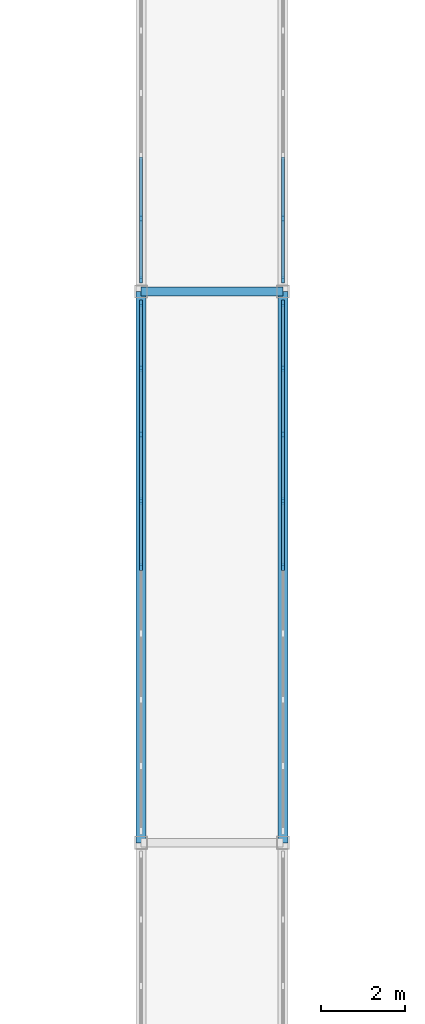
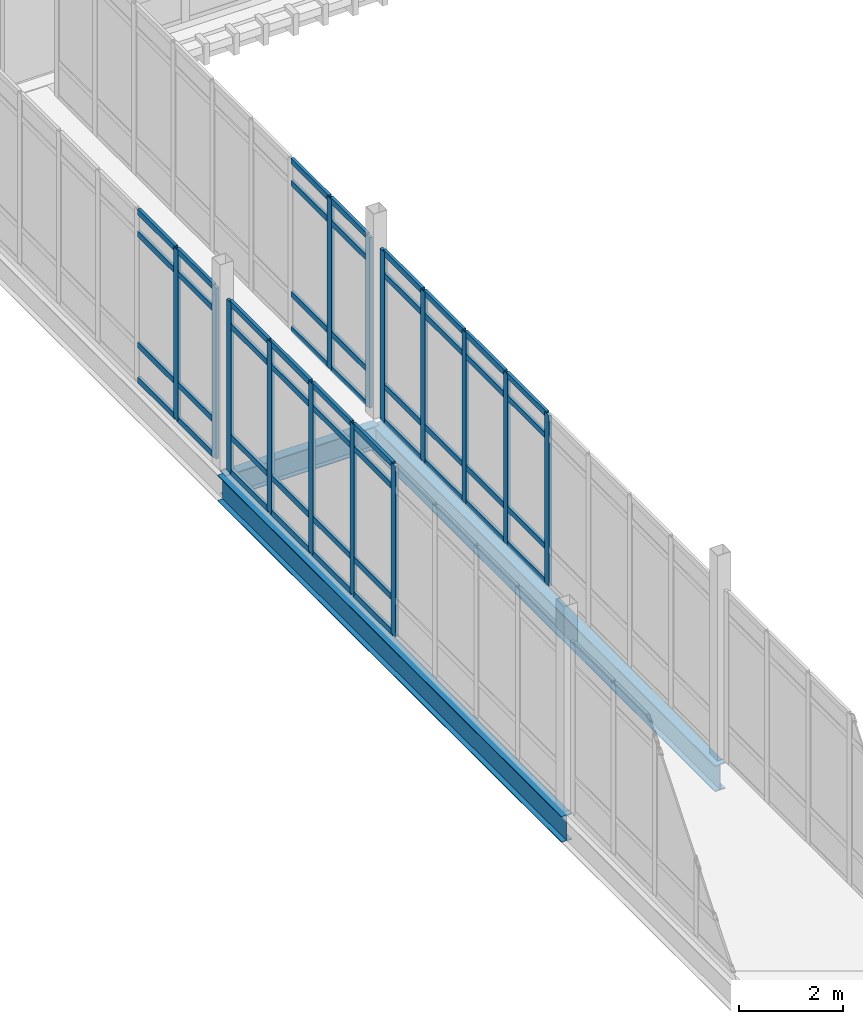
# One storey, part 56 of 125: 62 members, 3 beams, 4 elements without a shape of their own.
"""IFC4 building model written with IfcOpenShell, lengths in metres."""

from ifc_helpers import new_model, si_unit, direction, frame, origin, origin_2d, place, context, subcontext, project, spatial, rectangle, i_section, extrude, material, material_profile, profile_set, type_object, element, aggregate, save


model = new_model("IFC4")

# Units and contexts
model_context = context("Model", 3, precision=1e-05, world=origin(), true_north=direction((0.0, 1.0)))
body_context = subcontext(model_context, "Body", "Model", "MODEL_VIEW")
ifc_project = project(units=[si_unit("LENGTHUNIT", "METRE"), si_unit("AREAUNIT", "SQUARE_METRE"), si_unit("VOLUMEUNIT", "CUBIC_METRE"), si_unit("PLANEANGLEUNIT", "RADIAN"), si_unit("MASSUNIT", "GRAM", prefix="KILO")], contexts=[model_context])

# Site, building, storey
site_placement = place(None, origin())
site = spatial("IfcSite", under=ifc_project, at=site_placement, CompositionType="ELEMENT")
building_placement = place(site_placement, origin())
building = spatial("IfcBuilding", under=site, at=building_placement, Name="Dornvale Research Institute", CompositionType="ELEMENT")
storey_placement = place(building_placement, frame((0.0, 0.0, 5.39990234375)))
storey = spatial("IfcBuildingStorey", under=building, at=storey_placement, Name="L01", CompositionType="ELEMENT", Elevation=5.39990234375)

# Beams
ifc_material_1 = material(Name="Steel ASTM A992 Grade 50", Category="steel")
ifc_material_profile_1 = material_profile(ifc_material_1, i_section(OverallWidth=0.2099609375, OverallDepth=0.535888671875, WebThickness=0.010986328125, FlangeThickness=0.017333984375, at=origin_2d()), Name="W21X68")
ifc_profile_set_1 = profile_set([ifc_material_profile_1], Name="Steel ASTM A992 Grade 50")
beam_type_1 = type_object("IfcBeamType", Name="Beam_Steel_W21X68_Ext", PredefinedType="BEAM", material=ifc_profile_set_1)
beam_placement = place(storey_placement, frame((140.199951171875, 79.199951171875, -0.48779296875), z_axis=(1.0, 0.0, 0.0), x_axis=(0.0, 1.0, 0.0)))
element("IfcBeam", 1, at=beam_placement, inside=storey, type_object=beam_type_1, Name="L01 BR-7 portal cap beam #2026", PredefinedType="BEAM", context=body_context, shape_type="SweptSolid", body=[
    extrude(i_section(OverallWidth=0.2099609375, OverallDepth=0.535888671875, WebThickness=0.010986328125, FlangeThickness=0.017333984375, at=origin_2d()), origin(), (0.0, 0.0, 1.0), 3.400146484375),
])
ifc_material_2 = material(Name="Steel ASTM A992 Grade 50", Category="steel")
ifc_material_profile_2 = material_profile(ifc_material_2, i_section(OverallWidth=0.22900390625, OverallDepth=0.612060546875, WebThickness=0.011962890625, FlangeThickness=0.01953125, at=origin_2d()), Name="W24X84")
ifc_profile_set_2 = profile_set([ifc_material_profile_2], Name="Steel ASTM A992 Grade 50")
beam_type_2 = type_object("IfcBeamType", Name="Beam_Steel_W24X84_Bridge", PredefinedType="BEAM", material=ifc_profile_set_2)
for number, where, z_axis, x_axis, name in (
    (2, (140.199951171875, 66.0, -0.52587890625), (0.0, 1.0, 0.0), (-1.0, 0.0, 0.0), "L01 BR-7 west girder #2026"),
    (3, (143.60009765625, 66.0, -0.52587890625), (0.0, 1.0, 0.0), (-1.0, 0.0, 0.0), "L01 BR-7 east girder #2026"),
):
    element("IfcBeam", number, at=place(storey_placement, frame(where, z_axis=z_axis, x_axis=x_axis)), inside=storey, type_object=beam_type_2, Name=name, PredefinedType="BEAM", context=body_context, shape_type="SweptSolid", body=[
        extrude(i_section(OverallWidth=0.22900390625, OverallDepth=0.612060546875, WebThickness=0.011962890625, FlangeThickness=0.01953125, at=origin_2d()), origin(), (0.0, 0.0, 1.0), 13.199951171875),
    ])

# Curtain wall, members
ifc_material_3 = material(Name="Low-E Argon Double Insulating Glazing Unit", Category="glass")
curtain_wall_type_1 = type_object("IfcCurtainWallType", Name="UnitisedCurtainWall_V2_12700x4000", PredefinedType="USERDEFINED", material=ifc_material_3)
curtain_wall_1_placement = place(storey_placement, origin())
curtain_wall_1 = element("IfcCurtainWall", 4, at=curtain_wall_1_placement, inside=storey, type_object=curtain_wall_type_1, Name="L01 V2 unitised curtain wall CW-42 #237", ObjectType="UNITISED CURTAIN WALL", PredefinedType="USERDEFINED")
ifc_material_4 = material(Name="Anodized Aluminum AA 6063-T6 Thermally Broken Frame", Category="aluminium")
ifc_material_profile_3 = material_profile(ifc_material_4, rectangle(XDim=0.06494140625, YDim=0.1650390625, at=origin_2d()), Name="ALU MULLION 65x165")
ifc_profile_set_3 = profile_set([ifc_material_profile_3], Name="Anodized Aluminum AA 6063-T6 Thermally Broken Frame")
member_type_1 = type_object("IfcMemberType", Name="Mullion_Atrium_65x165", PredefinedType="MULLION", material=ifc_profile_set_3)
member_1_placement = place(storey_placement, frame((140.199951171875, 72.60009765625, 0.0), z_axis=(0.0, 0.0, 1.0), x_axis=(-1.0, 0.0, 0.0)))
member_1 = element("IfcMember", 5, at=member_1_placement, type_object=member_type_1, Name="CW-42 mullion 5", PredefinedType="MULLION", context=body_context, shape_type="SweptSolid", body=[
    extrude(rectangle(XDim=0.06494140625, YDim=0.1650390625, at=origin_2d()), origin(), (0.0, 0.0, 1.0), 4.0),
])
member_2_placement = place(storey_placement, frame((140.199951171875, 74.1875, 0.0), z_axis=(0.0, 0.0, 1.0), x_axis=(-1.0, 0.0, 0.0)))
member_2 = element("IfcMember", 6, at=member_2_placement, type_object=member_type_1, Name="CW-42 mullion 6", PredefinedType="MULLION", context=body_context, shape_type="SweptSolid", body=[
    extrude(rectangle(XDim=0.06494140625, YDim=0.1650390625, at=origin_2d()), origin(), (0.0, 0.0, 1.0), 4.0),
])
member_3_placement = place(storey_placement, frame((140.199951171875, 75.77490234375, 0.0), z_axis=(0.0, 0.0, 1.0), x_axis=(-1.0, 0.0, 0.0)))
member_3 = element("IfcMember", 7, at=member_3_placement, type_object=member_type_1, Name="CW-42 mullion 7", PredefinedType="MULLION", context=body_context, shape_type="SweptSolid", body=[
    extrude(rectangle(XDim=0.06494140625, YDim=0.1650390625, at=origin_2d()), origin(), (0.0, 0.0, 1.0), 4.0),
])
member_4_placement = place(storey_placement, frame((140.199951171875, 77.362548828125, 0.0), z_axis=(0.0, 0.0, 1.0), x_axis=(-1.0, 0.0, 0.0)))
member_4 = element("IfcMember", 8, at=member_4_placement, type_object=member_type_1, Name="CW-42 mullion 8", PredefinedType="MULLION", context=body_context, shape_type="SweptSolid", body=[
    extrude(rectangle(XDim=0.06494140625, YDim=0.1650390625, at=origin_2d()), origin(), (0.0, 0.0, 1.0), 4.0),
])
member_5_placement = place(storey_placement, frame((140.199951171875, 78.91748046875, 0.0), z_axis=(0.0, 0.0, 1.0), x_axis=(-1.0, 0.0, 0.0)))
member_5 = element("IfcMember", 9, at=member_5_placement, type_object=member_type_1, Name="CW-42 mullion 9", PredefinedType="MULLION", context=body_context, shape_type="SweptSolid", body=[
    extrude(rectangle(XDim=0.06494140625, YDim=0.1650390625, at=origin_2d()), origin(), (0.0, 0.0, 1.0), 4.0),
])

curtain_wall_2_placement = place(storey_placement, origin())
curtain_wall_2 = element("IfcCurtainWall", 10, at=curtain_wall_2_placement, inside=storey, type_object=curtain_wall_type_1, Name="L01 V2 unitised curtain wall CW-42 #238", ObjectType="UNITISED CURTAIN WALL", PredefinedType="USERDEFINED")
member_6_placement = place(storey_placement, frame((143.60009765625, 78.91748046875, 0.0), z_axis=(0.0, 0.0, 1.0), x_axis=(1.0, 0.0, 0.0)))
member_6 = element("IfcMember", 11, at=member_6_placement, type_object=member_type_1, Name="CW-42 mullion 1", PredefinedType="MULLION", context=body_context, shape_type="SweptSolid", body=[
    extrude(rectangle(XDim=0.06494140625, YDim=0.1650390625, at=origin_2d()), origin(), (0.0, 0.0, 1.0), 4.0),
])
member_7_placement = place(storey_placement, frame((143.60009765625, 77.362548828125, 0.0), z_axis=(0.0, 0.0, 1.0), x_axis=(1.0, 0.0, 0.0)))
member_7 = element("IfcMember", 12, at=member_7_placement, type_object=member_type_1, Name="CW-42 mullion 2", PredefinedType="MULLION", context=body_context, shape_type="SweptSolid", body=[
    extrude(rectangle(XDim=0.06494140625, YDim=0.1650390625, at=origin_2d()), origin(), (0.0, 0.0, 1.0), 4.0),
])
member_8_placement = place(storey_placement, frame((143.60009765625, 75.77490234375, 0.0), z_axis=(0.0, 0.0, 1.0), x_axis=(1.0, 0.0, 0.0)))
member_8 = element("IfcMember", 13, at=member_8_placement, type_object=member_type_1, Name="CW-42 mullion 3", PredefinedType="MULLION", context=body_context, shape_type="SweptSolid", body=[
    extrude(rectangle(XDim=0.06494140625, YDim=0.1650390625, at=origin_2d()), origin(), (0.0, 0.0, 1.0), 4.0),
])
member_9_placement = place(storey_placement, frame((143.60009765625, 74.1875, 0.0), z_axis=(0.0, 0.0, 1.0), x_axis=(1.0, 0.0, 0.0)))
member_9 = element("IfcMember", 14, at=member_9_placement, type_object=member_type_1, Name="CW-42 mullion 4", PredefinedType="MULLION", context=body_context, shape_type="SweptSolid", body=[
    extrude(rectangle(XDim=0.06494140625, YDim=0.1650390625, at=origin_2d()), origin(), (0.0, 0.0, 1.0), 4.0),
])
member_10_placement = place(storey_placement, frame((143.60009765625, 72.60009765625, 0.0), z_axis=(0.0, 0.0, 1.0), x_axis=(1.0, 0.0, 0.0)))
member_10 = element("IfcMember", 15, at=member_10_placement, type_object=member_type_1, Name="CW-42 mullion 5", PredefinedType="MULLION", context=body_context, shape_type="SweptSolid", body=[
    extrude(rectangle(XDim=0.06494140625, YDim=0.1650390625, at=origin_2d()), origin(), (0.0, 0.0, 1.0), 4.0),
])

ifc_material_5 = material(Name="Low-E Argon Double Insulating Glazing Unit", Category="glass")
curtain_wall_type_2 = type_object("IfcCurtainWallType", Name="UnitisedCurtainWall_V2_12000x4000", PredefinedType="USERDEFINED", material=ifc_material_5)
curtain_wall_3_placement = place(storey_placement, origin())
curtain_wall_3 = element("IfcCurtainWall", 16, at=curtain_wall_3_placement, inside=storey, type_object=curtain_wall_type_2, Name="L01 V2 unitised curtain wall CW-44 #239", ObjectType="UNITISED CURTAIN WALL", PredefinedType="USERDEFINED")
member_11_placement = place(storey_placement, frame((140.199951171875, 79.482421875, 0.0), z_axis=(0.0, 0.0, 1.0), x_axis=(-1.0, 0.0, 0.0)))
member_11 = element("IfcMember", 17, at=member_11_placement, type_object=member_type_1, Name="CW-44 mullion 1", PredefinedType="MULLION", context=body_context, shape_type="SweptSolid", body=[
    extrude(rectangle(XDim=0.06494140625, YDim=0.1650390625, at=origin_2d()), origin(), (0.0, 0.0, 1.0), 4.0),
])
member_12_placement = place(storey_placement, frame((140.199951171875, 80.949951171875, 0.0), z_axis=(0.0, 0.0, 1.0), x_axis=(-1.0, 0.0, 0.0)))
member_12 = element("IfcMember", 18, at=member_12_placement, type_object=member_type_1, Name="CW-44 mullion 2", PredefinedType="MULLION", context=body_context, shape_type="SweptSolid", body=[
    extrude(rectangle(XDim=0.06494140625, YDim=0.1650390625, at=origin_2d()), origin(), (0.0, 0.0, 1.0), 4.0),
])

curtain_wall_4_placement = place(storey_placement, origin())
curtain_wall_4 = element("IfcCurtainWall", 19, at=curtain_wall_4_placement, inside=storey, type_object=curtain_wall_type_2, Name="L01 V2 unitised curtain wall CW-44 #240", ObjectType="UNITISED CURTAIN WALL", PredefinedType="USERDEFINED")
member_13_placement = place(storey_placement, frame((143.60009765625, 80.949951171875, 0.0), z_axis=(0.0, 0.0, 1.0), x_axis=(1.0, 0.0, 0.0)))
member_13 = element("IfcMember", 20, at=member_13_placement, type_object=member_type_1, Name="CW-44 mullion 8", PredefinedType="MULLION", context=body_context, shape_type="SweptSolid", body=[
    extrude(rectangle(XDim=0.06494140625, YDim=0.1650390625, at=origin_2d()), origin(), (0.0, 0.0, 1.0), 4.0),
])
member_14_placement = place(storey_placement, frame((143.60009765625, 79.482421875, 0.0), z_axis=(0.0, 0.0, 1.0), x_axis=(1.0, 0.0, 0.0)))
member_14 = element("IfcMember", 21, at=member_14_placement, type_object=member_type_1, Name="CW-44 mullion 9", PredefinedType="MULLION", context=body_context, shape_type="SweptSolid", body=[
    extrude(rectangle(XDim=0.06494140625, YDim=0.1650390625, at=origin_2d()), origin(), (0.0, 0.0, 1.0), 4.0),
])

# Member
ifc_material_6 = material(Name="Anodized Aluminum AA 6063-T6 Thermally Broken Frame", Category="aluminium")
ifc_material_profile_4 = material_profile(ifc_material_6, rectangle(XDim=0.06494140625, YDim=0.135009765625, at=origin_2d()), Name="ALU TRANSOM 65x135")
ifc_profile_set_4 = profile_set([ifc_material_profile_4], Name="Anodized Aluminum AA 6063-T6 Thermally Broken Frame")
member_type_2 = type_object("IfcMemberType", Name="Transom_CW_65x135", PredefinedType="USERDEFINED", material=ifc_profile_set_4)
member_15_placement = place(storey_placement, frame((140.199951171875, 72.632568359375, 0.03271484375), z_axis=(0.0, 1.0, 0.0), x_axis=(-1.0, 0.0, 0.0)))
member_15 = element("IfcMember", 22, at=member_15_placement, type_object=member_type_2, Name="CW-42 transom 5.1", ObjectType="TRANSOM", PredefinedType="USERDEFINED", context=body_context, shape_type="SweptSolid", body=[
    extrude(rectangle(XDim=0.06494140625, YDim=0.135009765625, at=origin_2d()), origin(), (0.0, 0.0, 1.0), 1.5224609375),
])

member_16_placement = place(storey_placement, frame((140.199951171875, 72.632568359375, 0.85009765625), z_axis=(0.0, 1.0, 0.0), x_axis=(-1.0, 0.0, 0.0)))
member_16 = element("IfcMember", 23, at=member_16_placement, type_object=member_type_2, Name="CW-42 transom 5.2", ObjectType="TRANSOM", PredefinedType="USERDEFINED", context=body_context, shape_type="SweptSolid", body=[
    extrude(rectangle(XDim=0.06494140625, YDim=0.135009765625, at=origin_2d()), origin(), (0.0, 0.0, 1.0), 1.5224609375),
])

member_17_placement = place(storey_placement, frame((140.199951171875, 72.632568359375, 3.4501953125), z_axis=(0.0, 1.0, 0.0), x_axis=(-1.0, 0.0, 0.0)))
member_17 = element("IfcMember", 24, at=member_17_placement, type_object=member_type_2, Name="CW-42 transom 5.3", ObjectType="TRANSOM", PredefinedType="USERDEFINED", context=body_context, shape_type="SweptSolid", body=[
    extrude(rectangle(XDim=0.06494140625, YDim=0.135009765625, at=origin_2d()), origin(), (0.0, 0.0, 1.0), 1.5224609375),
])

member_18_placement = place(storey_placement, frame((140.199951171875, 72.632568359375, 3.967529296875), z_axis=(0.0, 1.0, 0.0), x_axis=(-1.0, 0.0, 0.0)))
member_18 = element("IfcMember", 25, at=member_18_placement, type_object=member_type_2, Name="CW-42 transom 5.4", ObjectType="TRANSOM", PredefinedType="USERDEFINED", context=body_context, shape_type="SweptSolid", body=[
    extrude(rectangle(XDim=0.06494140625, YDim=0.135009765625, at=origin_2d()), origin(), (0.0, 0.0, 1.0), 1.5224609375),
])

member_19_placement = place(storey_placement, frame((140.199951171875, 74.219970703125, 0.03271484375), z_axis=(0.0, 1.0, 0.0), x_axis=(-1.0, 0.0, 0.0)))
member_19 = element("IfcMember", 26, at=member_19_placement, type_object=member_type_2, Name="CW-42 transom 6.1", ObjectType="TRANSOM", PredefinedType="USERDEFINED", context=body_context, shape_type="SweptSolid", body=[
    extrude(rectangle(XDim=0.06494140625, YDim=0.135009765625, at=origin_2d()), origin(), (0.0, 0.0, 1.0), 1.5224609375),
])

member_20_placement = place(storey_placement, frame((140.199951171875, 74.219970703125, 0.85009765625), z_axis=(0.0, 1.0, 0.0), x_axis=(-1.0, 0.0, 0.0)))
member_20 = element("IfcMember", 27, at=member_20_placement, type_object=member_type_2, Name="CW-42 transom 6.2", ObjectType="TRANSOM", PredefinedType="USERDEFINED", context=body_context, shape_type="SweptSolid", body=[
    extrude(rectangle(XDim=0.06494140625, YDim=0.135009765625, at=origin_2d()), origin(), (0.0, 0.0, 1.0), 1.5224609375),
])

member_21_placement = place(storey_placement, frame((140.199951171875, 74.219970703125, 3.4501953125), z_axis=(0.0, 1.0, 0.0), x_axis=(-1.0, 0.0, 0.0)))
member_21 = element("IfcMember", 28, at=member_21_placement, type_object=member_type_2, Name="CW-42 transom 6.3", ObjectType="TRANSOM", PredefinedType="USERDEFINED", context=body_context, shape_type="SweptSolid", body=[
    extrude(rectangle(XDim=0.06494140625, YDim=0.135009765625, at=origin_2d()), origin(), (0.0, 0.0, 1.0), 1.5224609375),
])

member_22_placement = place(storey_placement, frame((140.199951171875, 74.219970703125, 3.967529296875), z_axis=(0.0, 1.0, 0.0), x_axis=(-1.0, 0.0, 0.0)))
member_22 = element("IfcMember", 29, at=member_22_placement, type_object=member_type_2, Name="CW-42 transom 6.4", ObjectType="TRANSOM", PredefinedType="USERDEFINED", context=body_context, shape_type="SweptSolid", body=[
    extrude(rectangle(XDim=0.06494140625, YDim=0.135009765625, at=origin_2d()), origin(), (0.0, 0.0, 1.0), 1.5224609375),
])

member_23_placement = place(storey_placement, frame((140.199951171875, 75.8076171875, 0.03271484375), z_axis=(0.0, 1.0, 0.0), x_axis=(-1.0, 0.0, 0.0)))
member_23 = element("IfcMember", 30, at=member_23_placement, type_object=member_type_2, Name="CW-42 transom 7.1", ObjectType="TRANSOM", PredefinedType="USERDEFINED", context=body_context, shape_type="SweptSolid", body=[
    extrude(rectangle(XDim=0.06494140625, YDim=0.135009765625, at=origin_2d()), origin(), (0.0, 0.0, 1.0), 1.5224609375),
])

member_24_placement = place(storey_placement, frame((140.199951171875, 75.8076171875, 0.85009765625), z_axis=(0.0, 1.0, 0.0), x_axis=(-1.0, 0.0, 0.0)))
member_24 = element("IfcMember", 31, at=member_24_placement, type_object=member_type_2, Name="CW-42 transom 7.2", ObjectType="TRANSOM", PredefinedType="USERDEFINED", context=body_context, shape_type="SweptSolid", body=[
    extrude(rectangle(XDim=0.06494140625, YDim=0.135009765625, at=origin_2d()), origin(), (0.0, 0.0, 1.0), 1.5224609375),
])

member_25_placement = place(storey_placement, frame((140.199951171875, 75.8076171875, 3.4501953125), z_axis=(0.0, 1.0, 0.0), x_axis=(-1.0, 0.0, 0.0)))
member_25 = element("IfcMember", 32, at=member_25_placement, type_object=member_type_2, Name="CW-42 transom 7.3", ObjectType="TRANSOM", PredefinedType="USERDEFINED", context=body_context, shape_type="SweptSolid", body=[
    extrude(rectangle(XDim=0.06494140625, YDim=0.135009765625, at=origin_2d()), origin(), (0.0, 0.0, 1.0), 1.5224609375),
])

member_26_placement = place(storey_placement, frame((140.199951171875, 75.8076171875, 3.967529296875), z_axis=(0.0, 1.0, 0.0), x_axis=(-1.0, 0.0, 0.0)))
member_26 = element("IfcMember", 33, at=member_26_placement, type_object=member_type_2, Name="CW-42 transom 7.4", ObjectType="TRANSOM", PredefinedType="USERDEFINED", context=body_context, shape_type="SweptSolid", body=[
    extrude(rectangle(XDim=0.06494140625, YDim=0.135009765625, at=origin_2d()), origin(), (0.0, 0.0, 1.0), 1.5224609375),
])

member_27_placement = place(storey_placement, frame((140.199951171875, 77.39501953125, 0.03271484375), z_axis=(0.0, 1.0, 0.0), x_axis=(-1.0, 0.0, 0.0)))
member_27 = element("IfcMember", 34, at=member_27_placement, type_object=member_type_2, Name="CW-42 transom 8.1", ObjectType="TRANSOM", PredefinedType="USERDEFINED", context=body_context, shape_type="SweptSolid", body=[
    extrude(rectangle(XDim=0.06494140625, YDim=0.135009765625, at=origin_2d()), origin(), (0.0, 0.0, 1.0), 1.489990234375),
])

member_28_placement = place(storey_placement, frame((140.199951171875, 77.39501953125, 0.85009765625), z_axis=(0.0, 1.0, 0.0), x_axis=(-1.0, 0.0, 0.0)))
member_28 = element("IfcMember", 35, at=member_28_placement, type_object=member_type_2, Name="CW-42 transom 8.2", ObjectType="TRANSOM", PredefinedType="USERDEFINED", context=body_context, shape_type="SweptSolid", body=[
    extrude(rectangle(XDim=0.06494140625, YDim=0.135009765625, at=origin_2d()), origin(), (0.0, 0.0, 1.0), 1.489990234375),
])

member_29_placement = place(storey_placement, frame((140.199951171875, 77.39501953125, 3.4501953125), z_axis=(0.0, 1.0, 0.0), x_axis=(-1.0, 0.0, 0.0)))
member_29 = element("IfcMember", 36, at=member_29_placement, type_object=member_type_2, Name="CW-42 transom 8.3", ObjectType="TRANSOM", PredefinedType="USERDEFINED", context=body_context, shape_type="SweptSolid", body=[
    extrude(rectangle(XDim=0.06494140625, YDim=0.135009765625, at=origin_2d()), origin(), (0.0, 0.0, 1.0), 1.489990234375),
])

member_30_placement = place(storey_placement, frame((140.199951171875, 77.39501953125, 3.967529296875), z_axis=(0.0, 1.0, 0.0), x_axis=(-1.0, 0.0, 0.0)))
member_30 = element("IfcMember", 37, at=member_30_placement, type_object=member_type_2, Name="CW-42 transom 8.4", ObjectType="TRANSOM", PredefinedType="USERDEFINED", context=body_context, shape_type="SweptSolid", body=[
    extrude(rectangle(XDim=0.06494140625, YDim=0.135009765625, at=origin_2d()), origin(), (0.0, 0.0, 1.0), 1.489990234375),
])

aggregate(curtain_wall_1, [member_1, member_2, member_3, member_4, member_5, member_15, member_16, member_17, member_18, member_19, member_20, member_21, member_22, member_23, member_24, member_25, member_26, member_27, member_28, member_29, member_30])

member_31_placement = place(storey_placement, frame((143.60009765625, 78.885009765625, 0.03271484375), z_axis=(0.0, -1.0, 0.0), x_axis=(1.0, 0.0, 0.0)))
member_31 = element("IfcMember", 38, at=member_31_placement, type_object=member_type_2, Name="CW-42 transom 1.1", ObjectType="TRANSOM", PredefinedType="USERDEFINED", context=body_context, shape_type="SweptSolid", body=[
    extrude(rectangle(XDim=0.06494140625, YDim=0.135009765625, at=origin_2d()), origin(), (0.0, 0.0, 1.0), 1.489990234375),
])

member_32_placement = place(storey_placement, frame((143.60009765625, 78.885009765625, 0.85009765625), z_axis=(0.0, -1.0, 0.0), x_axis=(1.0, 0.0, 0.0)))
member_32 = element("IfcMember", 39, at=member_32_placement, type_object=member_type_2, Name="CW-42 transom 1.2", ObjectType="TRANSOM", PredefinedType="USERDEFINED", context=body_context, shape_type="SweptSolid", body=[
    extrude(rectangle(XDim=0.06494140625, YDim=0.135009765625, at=origin_2d()), origin(), (0.0, 0.0, 1.0), 1.489990234375),
])

member_33_placement = place(storey_placement, frame((143.60009765625, 78.885009765625, 3.4501953125), z_axis=(0.0, -1.0, 0.0), x_axis=(1.0, 0.0, 0.0)))
member_33 = element("IfcMember", 40, at=member_33_placement, type_object=member_type_2, Name="CW-42 transom 1.3", ObjectType="TRANSOM", PredefinedType="USERDEFINED", context=body_context, shape_type="SweptSolid", body=[
    extrude(rectangle(XDim=0.06494140625, YDim=0.135009765625, at=origin_2d()), origin(), (0.0, 0.0, 1.0), 1.489990234375),
])

member_34_placement = place(storey_placement, frame((143.60009765625, 78.885009765625, 3.967529296875), z_axis=(0.0, -1.0, 0.0), x_axis=(1.0, 0.0, 0.0)))
member_34 = element("IfcMember", 41, at=member_34_placement, type_object=member_type_2, Name="CW-42 transom 1.4", ObjectType="TRANSOM", PredefinedType="USERDEFINED", context=body_context, shape_type="SweptSolid", body=[
    extrude(rectangle(XDim=0.06494140625, YDim=0.135009765625, at=origin_2d()), origin(), (0.0, 0.0, 1.0), 1.489990234375),
])

member_35_placement = place(storey_placement, frame((143.60009765625, 77.330078125, 0.03271484375), z_axis=(0.0, -1.0, 0.0), x_axis=(1.0, 0.0, 0.0)))
member_35 = element("IfcMember", 42, at=member_35_placement, type_object=member_type_2, Name="CW-42 transom 2.1", ObjectType="TRANSOM", PredefinedType="USERDEFINED", context=body_context, shape_type="SweptSolid", body=[
    extrude(rectangle(XDim=0.06494140625, YDim=0.135009765625, at=origin_2d()), origin(), (0.0, 0.0, 1.0), 1.5224609375),
])

member_36_placement = place(storey_placement, frame((143.60009765625, 77.330078125, 0.85009765625), z_axis=(0.0, -1.0, 0.0), x_axis=(1.0, 0.0, 0.0)))
member_36 = element("IfcMember", 43, at=member_36_placement, type_object=member_type_2, Name="CW-42 transom 2.2", ObjectType="TRANSOM", PredefinedType="USERDEFINED", context=body_context, shape_type="SweptSolid", body=[
    extrude(rectangle(XDim=0.06494140625, YDim=0.135009765625, at=origin_2d()), origin(), (0.0, 0.0, 1.0), 1.5224609375),
])

member_37_placement = place(storey_placement, frame((143.60009765625, 77.330078125, 3.4501953125), z_axis=(0.0, -1.0, 0.0), x_axis=(1.0, 0.0, 0.0)))
member_37 = element("IfcMember", 44, at=member_37_placement, type_object=member_type_2, Name="CW-42 transom 2.3", ObjectType="TRANSOM", PredefinedType="USERDEFINED", context=body_context, shape_type="SweptSolid", body=[
    extrude(rectangle(XDim=0.06494140625, YDim=0.135009765625, at=origin_2d()), origin(), (0.0, 0.0, 1.0), 1.5224609375),
])

member_38_placement = place(storey_placement, frame((143.60009765625, 77.330078125, 3.967529296875), z_axis=(0.0, -1.0, 0.0), x_axis=(1.0, 0.0, 0.0)))
member_38 = element("IfcMember", 45, at=member_38_placement, type_object=member_type_2, Name="CW-42 transom 2.4", ObjectType="TRANSOM", PredefinedType="USERDEFINED", context=body_context, shape_type="SweptSolid", body=[
    extrude(rectangle(XDim=0.06494140625, YDim=0.135009765625, at=origin_2d()), origin(), (0.0, 0.0, 1.0), 1.5224609375),
])

member_39_placement = place(storey_placement, frame((143.60009765625, 75.742431640625, 0.03271484375), z_axis=(0.0, -1.0, 0.0), x_axis=(1.0, 0.0, 0.0)))
member_39 = element("IfcMember", 46, at=member_39_placement, type_object=member_type_2, Name="CW-42 transom 3.1", ObjectType="TRANSOM", PredefinedType="USERDEFINED", context=body_context, shape_type="SweptSolid", body=[
    extrude(rectangle(XDim=0.06494140625, YDim=0.135009765625, at=origin_2d()), origin(), (0.0, 0.0, 1.0), 1.5224609375),
])

member_40_placement = place(storey_placement, frame((143.60009765625, 75.742431640625, 0.85009765625), z_axis=(0.0, -1.0, 0.0), x_axis=(1.0, 0.0, 0.0)))
member_40 = element("IfcMember", 47, at=member_40_placement, type_object=member_type_2, Name="CW-42 transom 3.2", ObjectType="TRANSOM", PredefinedType="USERDEFINED", context=body_context, shape_type="SweptSolid", body=[
    extrude(rectangle(XDim=0.06494140625, YDim=0.135009765625, at=origin_2d()), origin(), (0.0, 0.0, 1.0), 1.5224609375),
])

member_41_placement = place(storey_placement, frame((143.60009765625, 75.742431640625, 3.4501953125), z_axis=(0.0, -1.0, 0.0), x_axis=(1.0, 0.0, 0.0)))
member_41 = element("IfcMember", 48, at=member_41_placement, type_object=member_type_2, Name="CW-42 transom 3.3", ObjectType="TRANSOM", PredefinedType="USERDEFINED", context=body_context, shape_type="SweptSolid", body=[
    extrude(rectangle(XDim=0.06494140625, YDim=0.135009765625, at=origin_2d()), origin(), (0.0, 0.0, 1.0), 1.5224609375),
])

member_42_placement = place(storey_placement, frame((143.60009765625, 75.742431640625, 3.967529296875), z_axis=(0.0, -1.0, 0.0), x_axis=(1.0, 0.0, 0.0)))
member_42 = element("IfcMember", 49, at=member_42_placement, type_object=member_type_2, Name="CW-42 transom 3.4", ObjectType="TRANSOM", PredefinedType="USERDEFINED", context=body_context, shape_type="SweptSolid", body=[
    extrude(rectangle(XDim=0.06494140625, YDim=0.135009765625, at=origin_2d()), origin(), (0.0, 0.0, 1.0), 1.5224609375),
])

member_43_placement = place(storey_placement, frame((143.60009765625, 74.155029296875, 0.03271484375), z_axis=(0.0, -1.0, 0.0), x_axis=(1.0, 0.0, 0.0)))
member_43 = element("IfcMember", 50, at=member_43_placement, type_object=member_type_2, Name="CW-42 transom 4.1", ObjectType="TRANSOM", PredefinedType="USERDEFINED", context=body_context, shape_type="SweptSolid", body=[
    extrude(rectangle(XDim=0.06494140625, YDim=0.135009765625, at=origin_2d()), origin(), (0.0, 0.0, 1.0), 1.5224609375),
])

member_44_placement = place(storey_placement, frame((143.60009765625, 74.155029296875, 0.85009765625), z_axis=(0.0, -1.0, 0.0), x_axis=(1.0, 0.0, 0.0)))
member_44 = element("IfcMember", 51, at=member_44_placement, type_object=member_type_2, Name="CW-42 transom 4.2", ObjectType="TRANSOM", PredefinedType="USERDEFINED", context=body_context, shape_type="SweptSolid", body=[
    extrude(rectangle(XDim=0.06494140625, YDim=0.135009765625, at=origin_2d()), origin(), (0.0, 0.0, 1.0), 1.5224609375),
])

member_45_placement = place(storey_placement, frame((143.60009765625, 74.155029296875, 3.4501953125), z_axis=(0.0, -1.0, 0.0), x_axis=(1.0, 0.0, 0.0)))
member_45 = element("IfcMember", 52, at=member_45_placement, type_object=member_type_2, Name="CW-42 transom 4.3", ObjectType="TRANSOM", PredefinedType="USERDEFINED", context=body_context, shape_type="SweptSolid", body=[
    extrude(rectangle(XDim=0.06494140625, YDim=0.135009765625, at=origin_2d()), origin(), (0.0, 0.0, 1.0), 1.5224609375),
])

member_46_placement = place(storey_placement, frame((143.60009765625, 74.155029296875, 3.967529296875), z_axis=(0.0, -1.0, 0.0), x_axis=(1.0, 0.0, 0.0)))
member_46 = element("IfcMember", 53, at=member_46_placement, type_object=member_type_2, Name="CW-42 transom 4.4", ObjectType="TRANSOM", PredefinedType="USERDEFINED", context=body_context, shape_type="SweptSolid", body=[
    extrude(rectangle(XDim=0.06494140625, YDim=0.135009765625, at=origin_2d()), origin(), (0.0, 0.0, 1.0), 1.5224609375),
])

aggregate(curtain_wall_2, [member_6, member_7, member_8, member_9, member_10, member_31, member_32, member_33, member_34, member_35, member_36, member_37, member_38, member_39, member_40, member_41, member_42, member_43, member_44, member_45, member_46])

member_47_placement = place(storey_placement, frame((140.199951171875, 79.514892578125, 0.03271484375), z_axis=(0.0, 1.0, 0.0), x_axis=(-1.0, 0.0, 0.0)))
member_47 = element("IfcMember", 54, at=member_47_placement, type_object=member_type_2, Name="CW-44 transom 1.1", ObjectType="TRANSOM", PredefinedType="USERDEFINED", context=body_context, shape_type="SweptSolid", body=[
    extrude(rectangle(XDim=0.06494140625, YDim=0.135009765625, at=origin_2d()), origin(), (0.0, 0.0, 1.0), 1.402587890625),
])

member_48_placement = place(storey_placement, frame((140.199951171875, 79.514892578125, 0.85009765625), z_axis=(0.0, 1.0, 0.0), x_axis=(-1.0, 0.0, 0.0)))
member_48 = element("IfcMember", 55, at=member_48_placement, type_object=member_type_2, Name="CW-44 transom 1.2", ObjectType="TRANSOM", PredefinedType="USERDEFINED", context=body_context, shape_type="SweptSolid", body=[
    extrude(rectangle(XDim=0.06494140625, YDim=0.135009765625, at=origin_2d()), origin(), (0.0, 0.0, 1.0), 1.402587890625),
])

member_49_placement = place(storey_placement, frame((140.199951171875, 79.514892578125, 3.4501953125), z_axis=(0.0, 1.0, 0.0), x_axis=(-1.0, 0.0, 0.0)))
member_49 = element("IfcMember", 56, at=member_49_placement, type_object=member_type_2, Name="CW-44 transom 1.3", ObjectType="TRANSOM", PredefinedType="USERDEFINED", context=body_context, shape_type="SweptSolid", body=[
    extrude(rectangle(XDim=0.06494140625, YDim=0.135009765625, at=origin_2d()), origin(), (0.0, 0.0, 1.0), 1.402587890625),
])

member_50_placement = place(storey_placement, frame((140.199951171875, 79.514892578125, 3.967529296875), z_axis=(0.0, 1.0, 0.0), x_axis=(-1.0, 0.0, 0.0)))
member_50 = element("IfcMember", 57, at=member_50_placement, type_object=member_type_2, Name="CW-44 transom 1.4", ObjectType="TRANSOM", PredefinedType="USERDEFINED", context=body_context, shape_type="SweptSolid", body=[
    extrude(rectangle(XDim=0.06494140625, YDim=0.135009765625, at=origin_2d()), origin(), (0.0, 0.0, 1.0), 1.402587890625),
])

member_51_placement = place(storey_placement, frame((140.199951171875, 80.982421875, 0.03271484375), z_axis=(0.0, 1.0, 0.0), x_axis=(-1.0, 0.0, 0.0)))
member_51 = element("IfcMember", 58, at=member_51_placement, type_object=member_type_2, Name="CW-44 transom 2.1", ObjectType="TRANSOM", PredefinedType="USERDEFINED", context=body_context, shape_type="SweptSolid", body=[
    extrude(rectangle(XDim=0.06494140625, YDim=0.135009765625, at=origin_2d()), origin(), (0.0, 0.0, 1.0), 1.43505859375),
])

member_52_placement = place(storey_placement, frame((140.199951171875, 80.982421875, 0.85009765625), z_axis=(0.0, 1.0, 0.0), x_axis=(-1.0, 0.0, 0.0)))
member_52 = element("IfcMember", 59, at=member_52_placement, type_object=member_type_2, Name="CW-44 transom 2.2", ObjectType="TRANSOM", PredefinedType="USERDEFINED", context=body_context, shape_type="SweptSolid", body=[
    extrude(rectangle(XDim=0.06494140625, YDim=0.135009765625, at=origin_2d()), origin(), (0.0, 0.0, 1.0), 1.43505859375),
])

member_53_placement = place(storey_placement, frame((140.199951171875, 80.982421875, 3.4501953125), z_axis=(0.0, 1.0, 0.0), x_axis=(-1.0, 0.0, 0.0)))
member_53 = element("IfcMember", 60, at=member_53_placement, type_object=member_type_2, Name="CW-44 transom 2.3", ObjectType="TRANSOM", PredefinedType="USERDEFINED", context=body_context, shape_type="SweptSolid", body=[
    extrude(rectangle(XDim=0.06494140625, YDim=0.135009765625, at=origin_2d()), origin(), (0.0, 0.0, 1.0), 1.43505859375),
])

member_54_placement = place(storey_placement, frame((140.199951171875, 80.982421875, 3.967529296875), z_axis=(0.0, 1.0, 0.0), x_axis=(-1.0, 0.0, 0.0)))
member_54 = element("IfcMember", 61, at=member_54_placement, type_object=member_type_2, Name="CW-44 transom 2.4", ObjectType="TRANSOM", PredefinedType="USERDEFINED", context=body_context, shape_type="SweptSolid", body=[
    extrude(rectangle(XDim=0.06494140625, YDim=0.135009765625, at=origin_2d()), origin(), (0.0, 0.0, 1.0), 1.43505859375),
])

aggregate(curtain_wall_3, [member_11, member_12, member_47, member_48, member_49, member_50, member_51, member_52, member_53, member_54])

member_55_placement = place(storey_placement, frame((143.60009765625, 82.41748046875, 0.03271484375), z_axis=(0.0, -1.0, 0.0), x_axis=(1.0, 0.0, 0.0)))
member_55 = element("IfcMember", 62, at=member_55_placement, type_object=member_type_2, Name="CW-44 transom 7.1", ObjectType="TRANSOM", PredefinedType="USERDEFINED", context=body_context, shape_type="SweptSolid", body=[
    extrude(rectangle(XDim=0.06494140625, YDim=0.135009765625, at=origin_2d()), origin(), (0.0, 0.0, 1.0), 1.43505859375),
])

member_56_placement = place(storey_placement, frame((143.60009765625, 82.41748046875, 0.85009765625), z_axis=(0.0, -1.0, 0.0), x_axis=(1.0, 0.0, 0.0)))
member_56 = element("IfcMember", 63, at=member_56_placement, type_object=member_type_2, Name="CW-44 transom 7.2", ObjectType="TRANSOM", PredefinedType="USERDEFINED", context=body_context, shape_type="SweptSolid", body=[
    extrude(rectangle(XDim=0.06494140625, YDim=0.135009765625, at=origin_2d()), origin(), (0.0, 0.0, 1.0), 1.43505859375),
])

member_57_placement = place(storey_placement, frame((143.60009765625, 82.41748046875, 3.4501953125), z_axis=(0.0, -1.0, 0.0), x_axis=(1.0, 0.0, 0.0)))
member_57 = element("IfcMember", 64, at=member_57_placement, type_object=member_type_2, Name="CW-44 transom 7.3", ObjectType="TRANSOM", PredefinedType="USERDEFINED", context=body_context, shape_type="SweptSolid", body=[
    extrude(rectangle(XDim=0.06494140625, YDim=0.135009765625, at=origin_2d()), origin(), (0.0, 0.0, 1.0), 1.43505859375),
])

member_58_placement = place(storey_placement, frame((143.60009765625, 82.41748046875, 3.967529296875), z_axis=(0.0, -1.0, 0.0), x_axis=(1.0, 0.0, 0.0)))
member_58 = element("IfcMember", 65, at=member_58_placement, type_object=member_type_2, Name="CW-44 transom 7.4", ObjectType="TRANSOM", PredefinedType="USERDEFINED", context=body_context, shape_type="SweptSolid", body=[
    extrude(rectangle(XDim=0.06494140625, YDim=0.135009765625, at=origin_2d()), origin(), (0.0, 0.0, 1.0), 1.43505859375),
])

member_59_placement = place(storey_placement, frame((143.60009765625, 80.91748046875, 0.03271484375), z_axis=(0.0, -1.0, 0.0), x_axis=(1.0, 0.0, 0.0)))
member_59 = element("IfcMember", 66, at=member_59_placement, type_object=member_type_2, Name="CW-44 transom 8.1", ObjectType="TRANSOM", PredefinedType="USERDEFINED", context=body_context, shape_type="SweptSolid", body=[
    extrude(rectangle(XDim=0.06494140625, YDim=0.135009765625, at=origin_2d()), origin(), (0.0, 0.0, 1.0), 1.402587890625),
])

member_60_placement = place(storey_placement, frame((143.60009765625, 80.91748046875, 0.85009765625), z_axis=(0.0, -1.0, 0.0), x_axis=(1.0, 0.0, 0.0)))
member_60 = element("IfcMember", 67, at=member_60_placement, type_object=member_type_2, Name="CW-44 transom 8.2", ObjectType="TRANSOM", PredefinedType="USERDEFINED", context=body_context, shape_type="SweptSolid", body=[
    extrude(rectangle(XDim=0.06494140625, YDim=0.135009765625, at=origin_2d()), origin(), (0.0, 0.0, 1.0), 1.402587890625),
])

member_61_placement = place(storey_placement, frame((143.60009765625, 80.91748046875, 3.4501953125), z_axis=(0.0, -1.0, 0.0), x_axis=(1.0, 0.0, 0.0)))
member_61 = element("IfcMember", 68, at=member_61_placement, type_object=member_type_2, Name="CW-44 transom 8.3", ObjectType="TRANSOM", PredefinedType="USERDEFINED", context=body_context, shape_type="SweptSolid", body=[
    extrude(rectangle(XDim=0.06494140625, YDim=0.135009765625, at=origin_2d()), origin(), (0.0, 0.0, 1.0), 1.402587890625),
])

member_62_placement = place(storey_placement, frame((143.60009765625, 80.91748046875, 3.967529296875), z_axis=(0.0, -1.0, 0.0), x_axis=(1.0, 0.0, 0.0)))
member_62 = element("IfcMember", 69, at=member_62_placement, type_object=member_type_2, Name="CW-44 transom 8.4", ObjectType="TRANSOM", PredefinedType="USERDEFINED", context=body_context, shape_type="SweptSolid", body=[
    extrude(rectangle(XDim=0.06494140625, YDim=0.135009765625, at=origin_2d()), origin(), (0.0, 0.0, 1.0), 1.402587890625),
])

aggregate(curtain_wall_4, [member_13, member_14, member_55, member_56, member_57, member_58, member_59, member_60, member_61, member_62])

save(model, "model.ifc")
